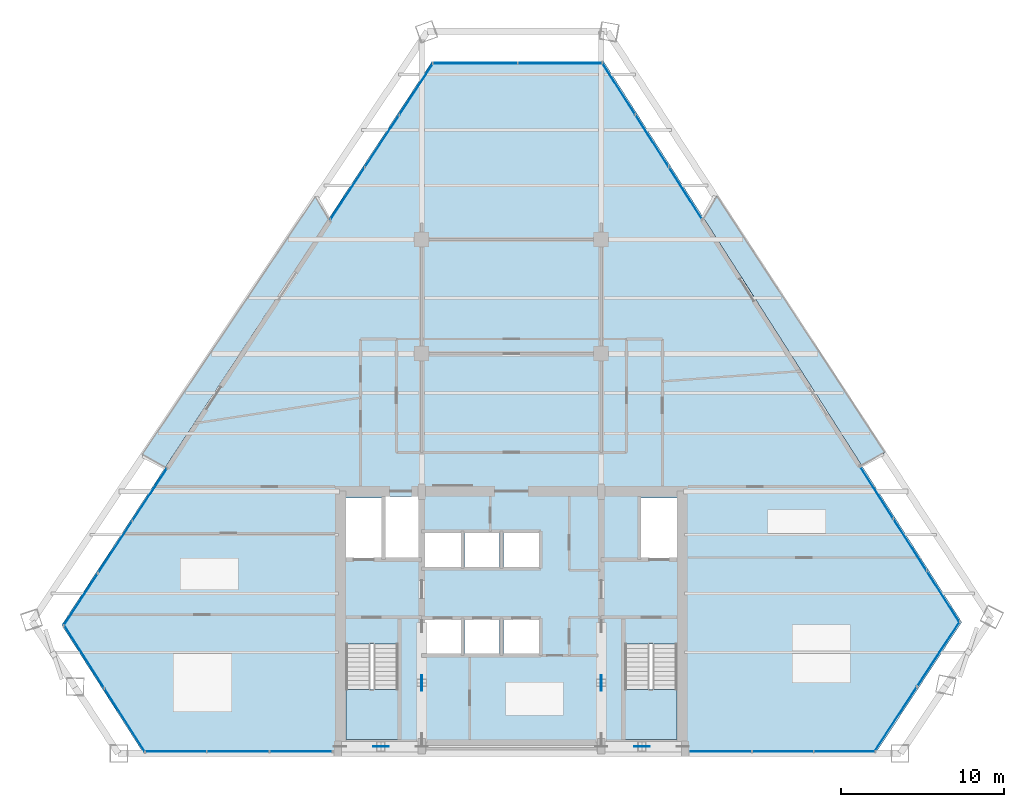
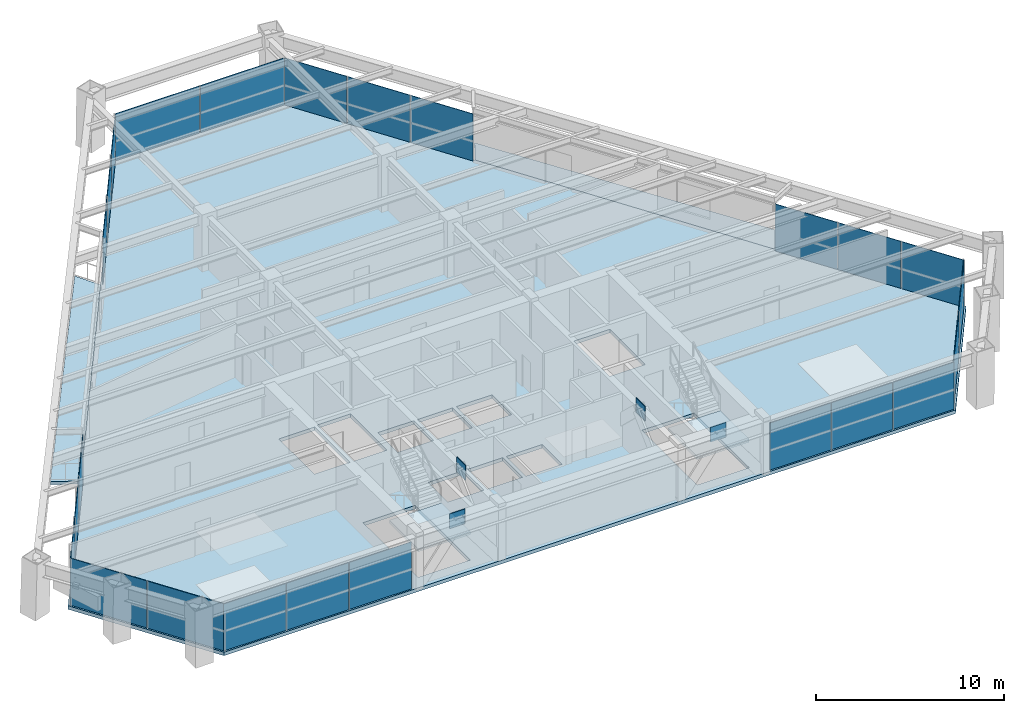
# One storey, part 9 of 14: 28 plates, 5 slabs, 11 elements without a shape of their own.
"""IFC4 building model written with IfcOpenShell, lengths in metres."""

from ifc_helpers import new_model, si_unit, direction, frame, origin, origin_2d, place, context, subcontext, project, spatial, polyline, rectangle, outline, extrude, source, transform, mapped, material, layer, layer_set, type_object, element, aggregate, save


model = new_model("IFC4")

# Units and contexts
model_context = context("Model", 3, precision=1e-05, world=origin(), true_north=direction((0.0, 1.0)))
body_context = subcontext(model_context, "Body", "Model", "MODEL_VIEW")
ifc_project = project(units=[si_unit("LENGTHUNIT", "METRE"), si_unit("AREAUNIT", "SQUARE_METRE"), si_unit("VOLUMEUNIT", "CUBIC_METRE"), si_unit("PLANEANGLEUNIT", "RADIAN"), si_unit("MASSUNIT", "GRAM", prefix="KILO")], contexts=[model_context])

# Site, building, storey
site_placement = place(None, origin())
site = spatial("IfcSite", under=ifc_project, at=site_placement, CompositionType="ELEMENT")
building_placement = place(site_placement, origin())
building = spatial("IfcBuilding", under=site, at=building_placement, Name="Varnakhor Terracotta Tower", CompositionType="ELEMENT")
storey_placement = place(building_placement, frame((0.0, 0.0, 129.300048828125)))
storey = spatial("IfcBuildingStorey", under=building, at=storey_placement, Name="L32", CompositionType="ELEMENT", Elevation=129.300048828125)

# Stair, slab
ifc_material_1 = material(Name="Concrete C40/50", Category="concrete")
stair_type = type_object("IfcStairType", Name="STR-CORE-OFFICE-1500", PredefinedType="HALF_TURN_STAIR", material=ifc_material_1)
stair_1_placement = place(storey_placement, origin())
stair_1 = element("IfcStair", 1, at=stair_1_placement, inside=storey, type_object=stair_type, Name="L32 Core Exit Stair ST-1", PredefinedType="HALF_TURN_STAIR")
ifc_layer_1 = layer(ifc_material_1, 0.179931640625, Name="Concrete C40/50")
ifc_layer_set_1 = layer_set([ifc_layer_1], Name="Concrete C40/50")
slab_type_1 = type_object("IfcSlabType", Name="SLB-LANDING-180", PredefinedType="LANDING", material=ifc_layer_set_1)
slab_1_placement = place(storey_placement, frame((0.0, 0.0, 1.64990234375)))
slab_1 = element("IfcSlab", 2, at=slab_1_placement, type_object=slab_type_1, Name="ST-1 landing 1", PredefinedType="LANDING", context=body_context, shape_type="SweptSolid", body=[
    extrude(outline(polyline([(-10.14990234375, 3.909912109375), (-10.14990234375, 0.85009765625), (-6.949951171875, 0.85009765625), (-6.949951171875, 3.909912109375), (-10.14990234375, 3.909912109375)])), origin(), (0.0, 0.0, 1.0), 0.199951171875),
])
aggregate(stair_1, [slab_1])

stair_2_placement = place(storey_placement, origin())
stair_2 = element("IfcStair", 3, at=stair_2_placement, inside=storey, type_object=stair_type, Name="L32 Core Exit Stair ST-2", PredefinedType="HALF_TURN_STAIR")
slab_2_placement = place(storey_placement, frame((0.0, 0.0, 1.64990234375)))
slab_2 = element("IfcSlab", 4, at=slab_2_placement, type_object=slab_type_1, Name="ST-2 landing 1", PredefinedType="LANDING", context=body_context, shape_type="SweptSolid", body=[
    extrude(outline(polyline([(6.949951171875, 3.909912109375), (6.949951171875, 0.85009765625), (10.14990234375, 0.85009765625), (10.14990234375, 3.909912109375), (6.949951171875, 3.909912109375)])), origin(), (0.0, 0.0, 1.0), 0.199951171875),
])
aggregate(stair_2, [slab_2])

# Slabs
ifc_layer_2 = layer(ifc_material_1, 0.195068359375, Name="Concrete C40/50")
ifc_layer_set_2 = layer_set([ifc_layer_2], Name="Concrete C40/50")
slab_type_2 = type_object("IfcSlabType", Name="SLB-LOGGIA-EXT-195", PredefinedType="FLOOR", material=ifc_layer_set_2)
slab_3_placement = place(storey_placement, frame((0.0, 0.0, -0.195068359375)))
element("IfcSlab", 5, at=slab_3_placement, inside=storey, type_object=slab_type_2, Name="L32 E Recessed Outdoor Loggia Slab", PredefinedType="FLOOR", context=body_context, shape_type="SweptSolid", body=[
    extrude(outline(polyline([(12.5634765625, 34.1875), (22.88134765625, 18.42041015625), (21.45068359375, 17.668701171875), (11.791259765625, 32.7919921875), (12.5634765625, 34.1875)])), origin(), (0.0, 0.0, 1.0), 0.195068359375),
])
slab_4_placement = place(storey_placement, frame((0.0, 0.0, -0.195068359375)))
element("IfcSlab", 6, at=slab_4_placement, inside=storey, type_object=slab_type_2, Name="L32 W Recessed Outdoor Loggia Slab", PredefinedType="FLOOR", context=body_context, shape_type="SweptSolid", body=[
    extrude(outline(polyline([(-22.64453125, 18.287841796875), (-11.9931640625, 34.1357421875), (-11.218994140625, 32.742431640625), (-21.012451171875, 17.839599609375), (-21.20849609375, 17.541259765625), (-22.64453125, 18.287841796875)])), origin(), (0.0, 0.0, 1.0), 0.195068359375),
])
ifc_layer_3 = layer(ifc_material_1, 0.22998046875, Name="Concrete C40/50")
ifc_layer_set_3 = layer_set([ifc_layer_3], Name="Concrete C40/50")
slab_type_3 = type_object("IfcSlabType", Name="SLB-OFF-230", PredefinedType="FLOOR", material=ifc_layer_set_3)
slab_5_placement = place(storey_placement, frame((0.0, 0.0, -0.22998046875)))
element("IfcSlab", 7, at=slab_5_placement, inside=storey, type_object=slab_type_3, Name="L32 Structural Floor Slab", PredefinedType="FLOOR", context=body_context, shape_type="SweptSolid", body=[
    extrude(outline(polyline([(-27.5654296875, 7.867919921875), (-4.86181640625, 42.416015625), (5.644287109375, 42.416015625), (27.597412109375, 8.044677734375), (22.31103515625, 0.0), (-22.540283203125, 0.0), (-27.5654296875, 7.867919921875)]), holes=[polyline([(-6.949951171875, 0.85009765625), (-6.949951171875, 6.695068359375), (-10.14990234375, 6.695068359375), (-10.14990234375, 0.85009765625), (-6.949951171875, 0.85009765625)]), polyline([(-3.10009765625, 6.10009765625), (-3.10009765625, 8.199951171875), (-5.300048828125, 8.199951171875), (-5.300048828125, 6.10009765625), (-3.10009765625, 6.10009765625)]), polyline([(-0.719970703125, 6.10009765625), (-0.719970703125, 8.199951171875), (-2.8798828125, 8.199951171875), (-2.8798828125, 6.10009765625), (-0.719970703125, 6.10009765625)]), polyline([(-5.300048828125, 11.419921875), (-3.10009765625, 11.419921875), (-3.10009765625, 13.52001953125), (-5.300048828125, 13.52001953125), (-5.300048828125, 11.419921875)]), polyline([(-10.14990234375, 11.8798828125), (-7.949951171875, 11.8798828125), (-7.949951171875, 15.64990234375), (-10.14990234375, 15.64990234375), (-10.14990234375, 11.8798828125)]), polyline([(-5.699951171875, 11.8798828125), (-5.699951171875, 15.75), (-7.72998046875, 15.75), (-7.72998046875, 11.8798828125), (-5.699951171875, 11.8798828125)]), polyline([(6.949951171875, 0.85009765625), (10.14990234375, 0.85009765625), (10.14990234375, 6.695068359375), (6.949951171875, 6.695068359375), (6.949951171875, 0.85009765625)]), polyline([(-0.5, 6.10009765625), (1.699951171875, 6.10009765625), (1.699951171875, 8.199951171875), (-0.5, 8.199951171875), (-0.5, 6.10009765625)]), polyline([(-0.719970703125, 11.419921875), (-0.719970703125, 13.52001953125), (-2.8798828125, 13.52001953125), (-2.8798828125, 11.419921875), (-0.719970703125, 11.419921875)]), polyline([(-0.5, 11.419921875), (1.699951171875, 11.419921875), (1.699951171875, 13.52001953125), (-0.5, 13.52001953125), (-0.5, 11.419921875)]), polyline([(7.949951171875, 11.8798828125), (10.14990234375, 11.8798828125), (10.14990234375, 15.64990234375), (7.949951171875, 15.64990234375), (7.949951171875, 11.8798828125)])]), origin(), (0.0, 0.0, 1.0), 0.22998046875),
])

# Plates
ifc_material_2 = material(Name="Steel S460", Category="steel")
ifc_layer_4 = layer(ifc_material_2, 0.050048828125, Name="Steel S460")
ifc_layer_set_4 = layer_set([ifc_layer_4], Name="Steel S460")
plate_type_1 = type_object("IfcPlateType", Name="PLT-GUSSET-50", PredefinedType="USERDEFINED", material=ifc_layer_set_4)
shared_shape_1 = source(origin(), body_context, "Body", "SweptSolid", [
    extrude(rectangle(XDim=0.949951171875, YDim=0.044921875, at=origin_2d()), origin(), (0.0, 0.0, 1.0), 0.949951171875),
])
for number, where, z_axis, x_axis, name in (
    (8, (-8.0, 0.419921875, 2.84521484375), (0.0, 0.0, 1.0), (1.0, 0.0, 0.0), "L32 Core Brace Apex Gusset CSW"),
    (9, (8.0, 0.419921875, 2.84521484375), (0.0, 0.0, 1.0), (1.0, 0.0, 0.0), "L32 Core Brace Apex Gusset CSE"),
    (10, (-5.5, 4.324951171875, 2.84521484375), (0.0, 0.0, 1.0), (0.0, 1.0, 0.0), "L32 Core Brace Apex Gusset CWW"),
    (11, (5.5, 4.324951171875, 2.84521484375), (0.0, 0.0, 1.0), (0.0, 1.0, 0.0), "L32 Core Brace Apex Gusset CWE"),
):
    element("IfcPlate", number, at=place(storey_placement, frame(where, z_axis=z_axis, x_axis=x_axis)), inside=storey, type_object=plate_type_1, Name=name, ObjectType="GUSSET PLATE", PredefinedType="USERDEFINED", context=body_context, shape_type="MappedRepresentation", body=[
        mapped(shared_shape_1, transform((0.0, 0.0, 0.0), scale=1.0)),
    ])

# Curtain wall, plates
ifc_material_3 = material(Name="Anodised Aluminium Curtain Wall System", Category="aluminium")
curtain_wall_type = type_object("IfcCurtainWallType", Name="CW-SYS-MID-OFFICE", PredefinedType="NOTDEFINED", material=ifc_material_3)
curtain_wall_1_placement = place(storey_placement, origin())
curtain_wall_1 = element("IfcCurtainWall", 12, at=curtain_wall_1_placement, inside=storey, type_object=curtain_wall_type, Name="L32 W Facet Curtain Wall 1", PredefinedType="NOTDEFINED")
ifc_material_4 = material(Name="Solar-Control Low-E Insulated Glass Panel", Category="glass")
ifc_layer_5 = layer(ifc_material_4, 0.035888671875, Name="Solar-Control Low-E Insulated Glass Panel")
ifc_layer_set_5 = layer_set([ifc_layer_5], Name="Solar-Control Low-E Insulated Glass Panel")
plate_type_2 = type_object("IfcPlateType", Name="CWP-03", PredefinedType="CURTAIN_PANEL", material=ifc_layer_set_5)
shared_shape_2 = source(origin(), body_context, "Body", "SweptSolid", [
    extrude(rectangle(XDim=3.79833984375, YDim=0.035888671875, at=origin_2d()), origin(), (0.0, 0.0, 1.0), 3.050048828125),
])
plate_1_placement = place(storey_placement, frame((-26.39453125, 9.430908203125, 0.0), z_axis=(0.0, 0.0, 1.0), x_axis=(0.549183271373, 0.835701941151, 0.0)))
plate_1 = element("IfcPlate", 13, at=plate_1_placement, type_object=plate_type_2, Name="L32 W Facet Curtain Wall 1 Glazed Panel 1", PredefinedType="CURTAIN_PANEL", context=body_context, shape_type="MappedRepresentation", body=[
    mapped(shared_shape_2, transform((0.0, 0.0, 0.0), scale=1.0)),
])
plate_2_placement = place(storey_placement, frame((-24.28662109375, 12.638671875, 0.0), z_axis=(0.0, 0.0, 1.0), x_axis=(0.549183271373, 0.835701941151, 0.0)))
plate_2 = element("IfcPlate", 14, at=plate_2_placement, type_object=plate_type_2, Name="L32 W Facet Curtain Wall 1 Glazed Panel 2", PredefinedType="CURTAIN_PANEL", context=body_context, shape_type="MappedRepresentation", body=[
    mapped(shared_shape_2, transform((0.0, 0.0, 0.0), scale=1.0)),
])
plate_3_placement = place(storey_placement, frame((-22.1787109375, 15.846435546875, 0.0), z_axis=(0.0, 0.0, 1.0), x_axis=(0.549183271373, 0.835701941151, 0.0)))
plate_3 = element("IfcPlate", 15, at=plate_3_placement, type_object=plate_type_2, Name="L32 W Facet Curtain Wall 1 Glazed Panel 3", PredefinedType="CURTAIN_PANEL", context=body_context, shape_type="MappedRepresentation", body=[
    mapped(shared_shape_2, transform((0.0, 0.0, 0.0), scale=1.0)),
])
aggregate(curtain_wall_1, [plate_1, plate_2, plate_3])

curtain_wall_2_placement = place(storey_placement, origin())
curtain_wall_2 = element("IfcCurtainWall", 16, at=curtain_wall_2_placement, inside=storey, type_object=curtain_wall_type, Name="L32 W Facet Curtain Wall 2", PredefinedType="NOTDEFINED")
plate_4_placement = place(storey_placement, frame((-10.048095703125, 34.3056640625, 0.0), z_axis=(0.0, 0.0, 1.0), x_axis=(0.549183271373, 0.835701941151, 0.0)))
plate_4 = element("IfcPlate", 17, at=plate_4_placement, type_object=plate_type_2, Name="L32 W Facet Curtain Wall 2 Glazed Panel 1", PredefinedType="CURTAIN_PANEL", context=body_context, shape_type="MappedRepresentation", body=[
    mapped(shared_shape_2, transform((0.0, 0.0, 0.0), scale=1.0)),
])
plate_5_placement = place(storey_placement, frame((-7.940185546875, 37.513427734375, 0.0), z_axis=(0.0, 0.0, 1.0), x_axis=(0.549183271373, 0.835701941151, 0.0)))
plate_5 = element("IfcPlate", 18, at=plate_5_placement, type_object=plate_type_2, Name="L32 W Facet Curtain Wall 2 Glazed Panel 2", PredefinedType="CURTAIN_PANEL", context=body_context, shape_type="MappedRepresentation", body=[
    mapped(shared_shape_2, transform((0.0, 0.0, 0.0), scale=1.0)),
])
plate_6_placement = place(storey_placement, frame((-5.83203125, 40.72119140625, 0.0), z_axis=(0.0, 0.0, 1.0), x_axis=(0.549183271373, 0.835701941151, 0.0)))
plate_6 = element("IfcPlate", 19, at=plate_6_placement, type_object=plate_type_2, Name="L32 W Facet Curtain Wall 2 Glazed Panel 3", PredefinedType="CURTAIN_PANEL", context=body_context, shape_type="MappedRepresentation", body=[
    mapped(shared_shape_2, transform((0.0, 0.0, 0.0), scale=1.0)),
])
aggregate(curtain_wall_2, [plate_4, plate_5, plate_6])

curtain_wall_3_placement = place(storey_placement, origin())
curtain_wall_3 = element("IfcCurtainWall", 20, at=curtain_wall_3_placement, inside=storey, type_object=curtain_wall_type, Name="L32 Facet Curtain Wall 2", PredefinedType="NOTDEFINED")
shared_shape_3 = source(origin(), body_context, "Body", "SweptSolid", [
    extrude(rectangle(XDim=5.18310546875, YDim=0.035888671875, at=origin_2d()), origin(), (0.0, 0.0, 1.0), 3.050048828125),
])
plate_7_placement = place(storey_placement, frame((-2.22021484375, 42.2958984375, 0.0), z_axis=(0.0, 0.0, 1.0), x_axis=(1.0, 0.0, 0.0)))
plate_7 = element("IfcPlate", 21, at=plate_7_placement, type_object=plate_type_2, Name="L32 Facet Curtain Wall 2 Glazed Panel 1", PredefinedType="CURTAIN_PANEL", context=body_context, shape_type="MappedRepresentation", body=[
    mapped(shared_shape_3, transform((0.0, 0.0, 0.0), scale=1.0)),
])
plate_8_placement = place(storey_placement, frame((3.0029296875, 42.2958984375, 0.0), z_axis=(0.0, 0.0, 1.0), x_axis=(1.0, 0.0, 0.0)))
plate_8 = element("IfcPlate", 22, at=plate_8_placement, type_object=plate_type_2, Name="L32 Facet Curtain Wall 2 Glazed Panel 2", PredefinedType="CURTAIN_PANEL", context=body_context, shape_type="MappedRepresentation", body=[
    mapped(shared_shape_3, transform((0.0, 0.0, 0.0), scale=1.0)),
])
aggregate(curtain_wall_3, [plate_7, plate_8])

curtain_wall_4_placement = place(storey_placement, origin())
curtain_wall_4 = element("IfcCurtainWall", 23, at=curtain_wall_4_placement, inside=storey, type_object=curtain_wall_type, Name="L32 E Facet Curtain Wall 1", PredefinedType="NOTDEFINED")
shared_shape_4 = source(origin(), body_context, "Body", "SweptSolid", [
    extrude(rectangle(XDim=3.74658203125, YDim=0.035888671875, at=origin_2d()), origin(), (0.0, 0.0, 1.0), 3.050048828125),
])
plate_9_placement = place(storey_placement, frame((6.57861328125, 40.73046875, 0.0), z_axis=(0.0, 0.0, 1.0), x_axis=(0.538285477923, -0.842762566953, 0.0)))
plate_9 = element("IfcPlate", 24, at=plate_9_placement, type_object=plate_type_2, Name="L32 E Facet Curtain Wall 1 Glazed Panel 1", PredefinedType="CURTAIN_PANEL", context=body_context, shape_type="MappedRepresentation", body=[
    mapped(shared_shape_4, transform((0.0, 0.0, 0.0), scale=1.0)),
])
plate_10_placement = place(storey_placement, frame((8.61669921875, 37.53955078125, 0.0), z_axis=(0.0, 0.0, 1.0), x_axis=(0.538285477923, -0.842762566953, 0.0)))
plate_10 = element("IfcPlate", 25, at=plate_10_placement, type_object=plate_type_2, Name="L32 E Facet Curtain Wall 1 Glazed Panel 2", PredefinedType="CURTAIN_PANEL", context=body_context, shape_type="MappedRepresentation", body=[
    mapped(shared_shape_4, transform((0.0, 0.0, 0.0), scale=1.0)),
])
plate_11_placement = place(storey_placement, frame((10.65478515625, 34.348388671875, 0.0), z_axis=(0.0, 0.0, 1.0), x_axis=(0.538285477923, -0.842762566953, 0.0)))
plate_11 = element("IfcPlate", 26, at=plate_11_placement, type_object=plate_type_2, Name="L32 E Facet Curtain Wall 1 Glazed Panel 3", PredefinedType="CURTAIN_PANEL", context=body_context, shape_type="MappedRepresentation", body=[
    mapped(shared_shape_4, transform((0.0, 0.0, 0.0), scale=1.0)),
])
aggregate(curtain_wall_4, [plate_9, plate_10, plate_11])

curtain_wall_5_placement = place(storey_placement, origin())
curtain_wall_5 = element("IfcCurtainWall", 27, at=curtain_wall_5_placement, inside=storey, type_object=curtain_wall_type, Name="L32 E Facet Curtain Wall 2", PredefinedType="NOTDEFINED")
plate_12_placement = place(storey_placement, frame((22.384765625, 15.9833984375, 0.0), z_axis=(0.0, 0.0, 1.0), x_axis=(0.538285477923, -0.842762566953, 0.0)))
plate_12 = element("IfcPlate", 28, at=plate_12_placement, type_object=plate_type_2, Name="L32 E Facet Curtain Wall 2 Glazed Panel 1", PredefinedType="CURTAIN_PANEL", context=body_context, shape_type="MappedRepresentation", body=[
    mapped(shared_shape_4, transform((0.0, 0.0, 0.0), scale=1.0)),
])
plate_13_placement = place(storey_placement, frame((24.4228515625, 12.7919921875, 0.0), z_axis=(0.0, 0.0, 1.0), x_axis=(0.538285477923, -0.842762566953, 0.0)))
plate_13 = element("IfcPlate", 29, at=plate_13_placement, type_object=plate_type_2, Name="L32 E Facet Curtain Wall 2 Glazed Panel 2", PredefinedType="CURTAIN_PANEL", context=body_context, shape_type="MappedRepresentation", body=[
    mapped(shared_shape_4, transform((0.0, 0.0, 0.0), scale=1.0)),
])
plate_14_placement = place(storey_placement, frame((26.461181640625, 9.60107421875, 0.0), z_axis=(0.0, 0.0, 1.0), x_axis=(0.538285477923, -0.842762566953, 0.0)))
plate_14 = element("IfcPlate", 30, at=plate_14_placement, type_object=plate_type_2, Name="L32 E Facet Curtain Wall 2 Glazed Panel 3", PredefinedType="CURTAIN_PANEL", context=body_context, shape_type="MappedRepresentation", body=[
    mapped(shared_shape_4, transform((0.0, 0.0, 0.0), scale=1.0)),
])
aggregate(curtain_wall_5, [plate_12, plate_13, plate_14])

curtain_wall_6_placement = place(storey_placement, origin())
curtain_wall_6 = element("IfcCurtainWall", 31, at=curtain_wall_6_placement, inside=storey, type_object=curtain_wall_type, Name="L32 Facet Curtain Wall 4", PredefinedType="NOTDEFINED")
shared_shape_5 = source(origin(), body_context, "Body", "SweptSolid", [
    extrude(rectangle(XDim=4.742919921875, YDim=0.035888671875, at=origin_2d()), origin(), (0.0, 0.0, 1.0), 3.050048828125),
])
plate_15_placement = place(storey_placement, frame((26.167236328125, 6.0869140625, 0.0), z_axis=(0.0, 0.0, 1.0), x_axis=(-0.549183271373, -0.835701941151, 0.0)))
plate_15 = element("IfcPlate", 32, at=plate_15_placement, type_object=plate_type_2, Name="L32 Facet Curtain Wall 4 Glazed Panel 1", PredefinedType="CURTAIN_PANEL", context=body_context, shape_type="MappedRepresentation", body=[
    mapped(shared_shape_5, transform((0.0, 0.0, 0.0), scale=1.0)),
])
shared_shape_6 = source(origin(), body_context, "Body", "SweptSolid", [
    extrude(rectangle(XDim=4.7431640625, YDim=0.035888671875, at=origin_2d()), origin(), (0.0, 0.0, 1.0), 3.050048828125),
])
plate_16_placement = place(storey_placement, frame((23.54052734375, 2.089599609375, 0.0), z_axis=(0.0, 0.0, 1.0), x_axis=(-0.549183271373, -0.835701941151, 0.0)))
plate_16 = element("IfcPlate", 33, at=plate_16_placement, type_object=plate_type_2, Name="L32 Facet Curtain Wall 4 Glazed Panel 2", PredefinedType="CURTAIN_PANEL", context=body_context, shape_type="MappedRepresentation", body=[
    mapped(shared_shape_6, transform((0.0, 0.0, 0.0), scale=1.0)),
])
aggregate(curtain_wall_6, [plate_15, plate_16])

curtain_wall_7_placement = place(storey_placement, origin())
curtain_wall_7 = element("IfcCurtainWall", 34, at=curtain_wall_7_placement, inside=storey, type_object=curtain_wall_type, Name="L32 South Wing Curtain Wall SSE", PredefinedType="NOTDEFINED")
shared_shape_7 = source(origin(), body_context, "Body", "SweptSolid", [
    extrude(rectangle(XDim=3.737060546875, YDim=0.035888671875, at=origin_2d()), origin(), (0.0, 0.0, 1.0), 3.050048828125),
])
plate_17_placement = place(storey_placement, frame((20.41259765625, 0.1201171875, 0.0), z_axis=(0.0, 0.0, 1.0), x_axis=(-1.0, 0.0, 0.0)))
plate_17 = element("IfcPlate", 35, at=plate_17_placement, type_object=plate_type_2, Name="L32 South Wing Curtain Wall SSE Glazed Panel 1", PredefinedType="CURTAIN_PANEL", context=body_context, shape_type="MappedRepresentation", body=[
    mapped(shared_shape_7, transform((0.0, 0.0, 0.0), scale=1.0)),
])
plate_18_placement = place(storey_placement, frame((16.635498046875, 0.1201171875, 0.0), z_axis=(0.0, 0.0, 1.0), x_axis=(-1.0, 0.0, 0.0)))
plate_18 = element("IfcPlate", 36, at=plate_18_placement, type_object=plate_type_2, Name="L32 South Wing Curtain Wall SSE Glazed Panel 2", PredefinedType="CURTAIN_PANEL", context=body_context, shape_type="MappedRepresentation", body=[
    mapped(shared_shape_7, transform((0.0, 0.0, 0.0), scale=1.0)),
])
plate_19_placement = place(storey_placement, frame((12.8583984375, 0.1201171875, 0.0), z_axis=(0.0, 0.0, 1.0), x_axis=(-1.0, 0.0, 0.0)))
plate_19 = element("IfcPlate", 37, at=plate_19_placement, type_object=plate_type_2, Name="L32 South Wing Curtain Wall SSE Glazed Panel 3", PredefinedType="CURTAIN_PANEL", context=body_context, shape_type="MappedRepresentation", body=[
    mapped(shared_shape_7, transform((0.0, 0.0, 0.0), scale=1.0)),
])
aggregate(curtain_wall_7, [plate_17, plate_18, plate_19])

curtain_wall_8_placement = place(storey_placement, origin())
curtain_wall_8 = element("IfcCurtainWall", 38, at=curtain_wall_8_placement, inside=storey, type_object=curtain_wall_type, Name="L32 South Wing Curtain Wall SSW", PredefinedType="NOTDEFINED")
shared_shape_8 = source(origin(), body_context, "Body", "SweptSolid", [
    extrude(rectangle(XDim=3.8134765625, YDim=0.035888671875, at=origin_2d()), origin(), (0.0, 0.0, 1.0), 3.050048828125),
])
plate_20_placement = place(storey_placement, frame((-12.896728515625, 0.1201171875, 0.0), z_axis=(0.0, 0.0, 1.0), x_axis=(-1.0, 0.0, 0.0)))
plate_20 = element("IfcPlate", 39, at=plate_20_placement, type_object=plate_type_2, Name="L32 South Wing Curtain Wall SSW Glazed Panel 1", PredefinedType="CURTAIN_PANEL", context=body_context, shape_type="MappedRepresentation", body=[
    mapped(shared_shape_8, transform((0.0, 0.0, 0.0), scale=1.0)),
])
plate_21_placement = place(storey_placement, frame((-16.75, 0.1201171875, 0.0), z_axis=(0.0, 0.0, 1.0), x_axis=(-1.0, 0.0, 0.0)))
plate_21 = element("IfcPlate", 40, at=plate_21_placement, type_object=plate_type_2, Name="L32 South Wing Curtain Wall SSW Glazed Panel 2", PredefinedType="CURTAIN_PANEL", context=body_context, shape_type="MappedRepresentation", body=[
    mapped(shared_shape_8, transform((0.0, 0.0, 0.0), scale=1.0)),
])
plate_22_placement = place(storey_placement, frame((-20.603515625, 0.1201171875, 0.0), z_axis=(0.0, 0.0, 1.0), x_axis=(-1.0, 0.0, 0.0)))
plate_22 = element("IfcPlate", 41, at=plate_22_placement, type_object=plate_type_2, Name="L32 South Wing Curtain Wall SSW Glazed Panel 3", PredefinedType="CURTAIN_PANEL", context=body_context, shape_type="MappedRepresentation", body=[
    mapped(shared_shape_8, transform((0.0, 0.0, 0.0), scale=1.0)),
])
aggregate(curtain_wall_8, [plate_20, plate_21, plate_22])

curtain_wall_9_placement = place(storey_placement, origin())
curtain_wall_9 = element("IfcCurtainWall", 42, at=curtain_wall_9_placement, inside=storey, type_object=curtain_wall_type, Name="L32 Facet Curtain Wall 6", PredefinedType="NOTDEFINED")
shared_shape_9 = source(origin(), body_context, "Body", "SweptSolid", [
    extrude(rectangle(XDim=4.597900390625, YDim=0.035888671875, at=origin_2d()), origin(), (0.0, 0.0, 1.0), 3.050048828125),
])
plate_23_placement = place(storey_placement, frame((-23.70361328125, 2.044189453125, 0.0), z_axis=(0.0, 0.0, 1.0), x_axis=(-0.538285477923, 0.842762566953, 0.0)))
plate_23 = element("IfcPlate", 43, at=plate_23_placement, type_object=plate_type_2, Name="L32 Facet Curtain Wall 6 Glazed Panel 1", PredefinedType="CURTAIN_PANEL", context=body_context, shape_type="MappedRepresentation", body=[
    mapped(shared_shape_9, transform((0.0, 0.0, 0.0), scale=1.0)),
])
plate_24_placement = place(storey_placement, frame((-26.199951171875, 5.952880859375, 0.0), z_axis=(0.0, 0.0, 1.0), x_axis=(-0.538285477923, 0.842762566953, 0.0)))
plate_24 = element("IfcPlate", 44, at=plate_24_placement, type_object=plate_type_2, Name="L32 Facet Curtain Wall 6 Glazed Panel 2", PredefinedType="CURTAIN_PANEL", context=body_context, shape_type="MappedRepresentation", body=[
    mapped(shared_shape_9, transform((0.0, 0.0, 0.0), scale=1.0)),
])
aggregate(curtain_wall_9, [plate_23, plate_24])

save(model, "model.ifc")
